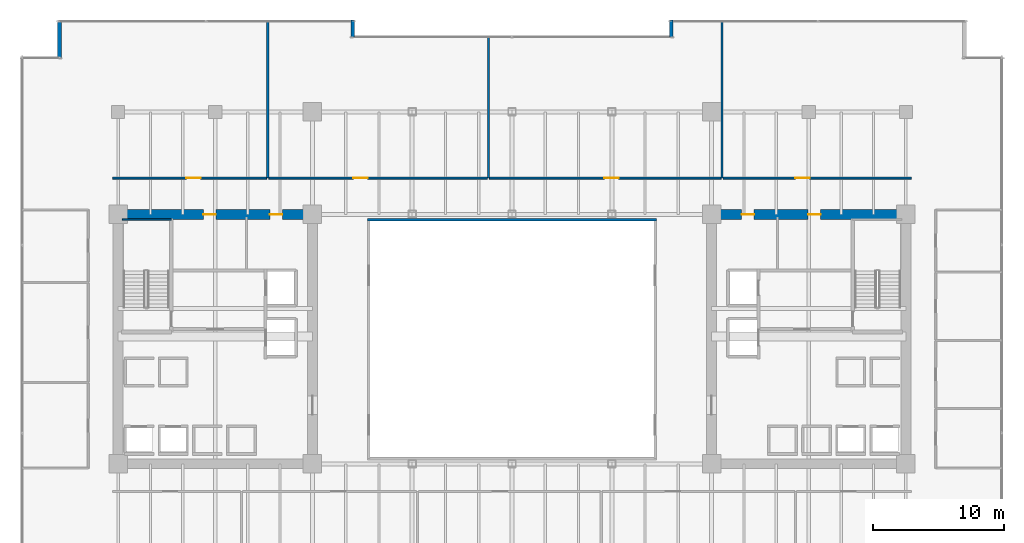
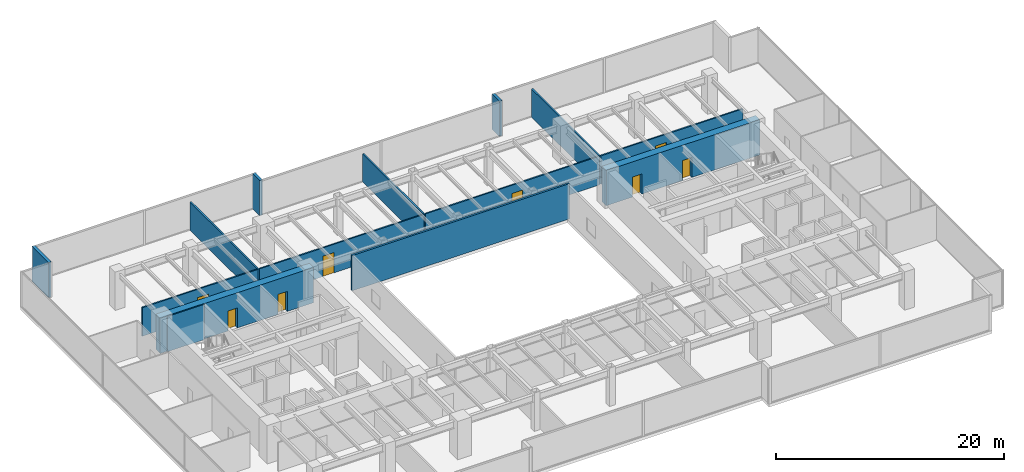
# One storey, part 31 of 35: 14 walls, 8 doors, 8 openings.
"""IFC4 building model written with IfcOpenShell, lengths in metres."""

from ifc_helpers import new_model, si_unit, direction, frame, frame_2d, origin, place, context, subcontext, project, spatial, rectangle, extrude, source, transform, mapped, material, layer, layer_set, type_object, type_shapes, element, fill, save


model = new_model("IFC4")

# Units and contexts
model_context = context("Model", 3, precision=1e-05, world=origin(), true_north=direction((0.0, 1.0)))
body_context = subcontext(model_context, "Body", "Model", "MODEL_VIEW")
ifc_project = project(units=[si_unit("LENGTHUNIT", "METRE"), si_unit("AREAUNIT", "SQUARE_METRE"), si_unit("VOLUMEUNIT", "CUBIC_METRE"), si_unit("PLANEANGLEUNIT", "RADIAN"), si_unit("MASSUNIT", "GRAM", prefix="KILO")], contexts=[model_context])

# Site, building, storey
site_placement = place(None, origin())
site = spatial("IfcSite", under=ifc_project, at=site_placement, CompositionType="ELEMENT")
building_placement = place(site_placement, origin())
building = spatial("IfcBuilding", under=site, at=building_placement, Name="Haelvirn Gate Laboratories", CompositionType="ELEMENT")
storey_placement = place(building_placement, frame((0.0, 0.0, 58.0)))
storey = spatial("IfcBuildingStorey", under=building, at=storey_placement, Name="L14", CompositionType="ELEMENT", Elevation=58.0)

# Walls
ifc_material_1 = material(Name="Thermally-broken bronze aluminium rainscreen & mineral wool", Category="aluminium")
ifc_layer_1 = layer(ifc_material_1, 0.280029296875, Name="EW-TERR-280")
ifc_layer_set_1 = layer_set([ifc_layer_1], Name="Thermally-broken bronze aluminium rainscreen & mineral wool")
wall_type_1 = type_object("IfcWallType", Name="EW-TERR-280", PredefinedType="STANDARD", material=ifc_layer_set_1)
for number, where, z_axis, x_axis, name in (
    (1, (49.5400390625, 48.60009765625, 0.0), (0.0, 0.0, 1.0), (0.0, -1.0, 0.0), "L14 Atrium Recess Bronze Return Wall 11"),
    (2, (25.260009765625, 47.31201171875, 0.0), (0.0, 0.0, 1.0), (0.0, 1.0, 0.0), "L14 Atrium Recess Bronze Return Wall 13"),
):
    element("IfcWall", number, at=place(storey_placement, frame(where, z_axis=z_axis, x_axis=x_axis)), inside=storey, type_object=wall_type_1, Name=name, PredefinedType="STANDARD", context=body_context, shape_type="SweptSolid", body=[
        extrude(rectangle(XDim=1.2880859375, YDim=0.280029296875, at=frame_2d((0.64404296875, 0.0))), origin(), (0.0, 0.0, 1.0), 3.780029296875),
    ])
wall_1_placement = place(storey_placement, frame((2.93994140625, 48.60009765625, 0.0), z_axis=(0.0, 0.0, 1.0), x_axis=(0.0, -1.0, 0.0)))
element("IfcWall", 3, at=wall_1_placement, inside=storey, type_object=wall_type_1, Name="L14 Atrium Recess Bronze Return Wall 15", PredefinedType="STANDARD", context=body_context, shape_type="SweptSolid", body=[
    extrude(rectangle(XDim=2.88818359375, YDim=0.280029296875, at=frame_2d((1.444091796875, 0.0))), origin(), (0.0, 0.0, 1.0), 3.780029296875),
])
ifc_material_2 = material(Name="Double-layer acoustic gypsum laboratory partition", Category="gypsum")
ifc_layer_2 = layer(ifc_material_2, 0.159912109375, Name="IW-ACOUST-160")
ifc_layer_set_2 = layer_set([ifc_layer_2], Name="Double-layer acoustic gypsum laboratory partition")
wall_type_2 = type_object("IfcWallType", Name="IW-ACOUST-160", PredefinedType="PARTITIONING", material=ifc_layer_set_2)
wall_2_placement = place(storey_placement, frame((18.800048828125, 36.56005859375, 0.0), z_axis=(0.0, 0.0, 1.0), x_axis=(0.0, 1.0, 0.0)))
element("IfcWall", 4, at=wall_2_placement, inside=storey, type_object=wall_type_2, Name="L14 Interior Wall IW-L14-NDIV-01", PredefinedType="PARTITIONING", context=body_context, shape_type="SweptSolid", body=[
    extrude(rectangle(XDim=11.929931640625, YDim=0.159912109375, at=frame_2d((5.96484375, 0.0))), origin(), (0.0, 0.0, 1.0), 3.014892578125),
])
wall_3_placement = place(storey_placement, frame((35.60009765625, 36.56005859375, 0.0), z_axis=(0.0, 0.0, 1.0), x_axis=(0.0, 1.0, 0.0)))
element("IfcWall", 5, at=wall_3_placement, inside=storey, type_object=wall_type_2, Name="L14 Interior Wall IW-L14-NDIV-02", PredefinedType="PARTITIONING", context=body_context, shape_type="SweptSolid", body=[
    extrude(rectangle(XDim=10.72998046875, YDim=0.159912109375, at=frame_2d((5.364990234375, 0.0))), origin(), (0.0, 0.0, 1.0), 3.014892578125),
])
wall_4_placement = place(storey_placement, frame((53.39990234375, 36.56005859375, 0.0), z_axis=(0.0, 0.0, 1.0), x_axis=(0.0, 1.0, 0.0)))
element("IfcWall", 6, at=wall_4_placement, inside=storey, type_object=wall_type_2, Name="L14 Interior Wall IW-L14-NDIV-03", PredefinedType="PARTITIONING", context=body_context, shape_type="SweptSolid", body=[
    extrude(rectangle(XDim=11.929931640625, YDim=0.159912109375, at=frame_2d((5.96484375, 0.0))), origin(), (0.0, 0.0, 1.0), 3.014892578125),
])
ifc_material_3 = material(Name="Tempered fire-rated borosilicate glass & anodised aluminium", Category="aluminium")
ifc_layer_3 = layer(ifc_material_3, 0.195068359375, Name="IW-GLAZ-200")
ifc_layer_set_3 = layer_set([ifc_layer_3], Name="Tempered fire-rated borosilicate glass & anodised aluminium")
wall_type_3 = type_object("IfcWallType", Name="IW-GLAZ-200", PredefinedType="SOLIDWALL", material=ifc_layer_set_3)
wall_5_placement = place(storey_placement, frame((26.39990234375, 33.39990234375, 0.0), z_axis=(0.0, 0.0, 1.0), x_axis=(1.0, 0.0, 0.0)))
element("IfcWall", 7, at=wall_5_placement, inside=storey, type_object=wall_type_3, Name="L14 Interior Wall IW-L14-ATRIUM-N", PredefinedType="SOLIDWALL", context=body_context, shape_type="SweptSolid", body=[
    extrude(rectangle(XDim=22.0, YDim=0.195068359375, at=frame_2d((11.0, 0.0))), origin(), (0.0, 0.0, 1.0), 3.780029296875),
])

# Wall, opening, door
ifc_material_4 = material(Name="Acoustic mineral-wool gypsum board partition", Category="gypsum")
ifc_layer_4 = layer(ifc_material_4, 0.139892578125, Name="IW-PART-140")
ifc_layer_set_4 = layer_set([ifc_layer_4], Name="Acoustic mineral-wool gypsum board partition")
wall_type_4 = type_object("IfcWallType", Name="IW-PART-140", PredefinedType="PARTITIONING", material=ifc_layer_set_4)
wall_6_placement = place(storey_placement, frame((6.97998046875, 36.56005859375, 0.0), z_axis=(0.0, 0.0, 1.0), x_axis=(1.0, 0.0, 0.0)))
wall_6 = element("IfcWall", 8, at=wall_6_placement, inside=storey, type_object=wall_type_4, Name="L14 Interior Wall IW-L14-NCORR-01", PredefinedType="PARTITIONING", context=body_context, shape_type="SweptSolid", body=[
    extrude(rectangle(XDim=11.739990234375, YDim=0.139892578125, at=frame_2d((5.8701171875, 0.0))), origin(), (0.0, 0.0, 1.0), 3.06494140625),
])
opening_1_placement = place(wall_6_placement, frame((5.6181640625, 0.0, 0.0)))
opening_1 = element("IfcOpeningElement", 9, at=opening_1_placement, cuts=wall_6, Name="Opening D1", PredefinedType="OPENING", context=body_context, shape_type="SweptSolid", body=[
    extrude(rectangle(XDim=1.10009765625, YDim=2.179931640625, at=frame_2d((0.550048828125, 1.08984375))), frame((0.0, 0.080078125, 0.0), z_axis=(0.0, -1.0, 0.0), x_axis=(1.0, 0.0, 0.0)), (0.0, 0.0, 1.0), 0.159912109375),
])
ifc_material_5 = material(Name="Vision-panel acoustic solid-core timber lab door", Category="wood")
door_type_1 = type_object("IfcDoorType", Name="DR-LAB-1100", OperationType="NOTDEFINED", PredefinedType="DOOR", material=ifc_material_5)
shared_shape_1 = source(origin(), body_context, "Body", "SweptSolid", [
    extrude(rectangle(XDim=1.10009765625, YDim=2.179931640625, at=frame_2d((0.550048828125, 1.08984375))), frame((0.0, 0.02490234375, 0.0), z_axis=(0.0, -1.0, 0.0), x_axis=(1.0, 0.0, 0.0)), (0.0, 0.0, 1.0), 0.050048828125),
])
type_shapes(door_type_1, [shared_shape_1])
door_1_placement = place(opening_1_placement, origin())
door_1 = element("IfcDoor", 10, at=door_1_placement, inside=storey, type_object=door_type_1, Name="L14 Occupational Biosafety Clinic Door N1", OperationType="SINGLE_SWING_RIGHT", OverallHeight=2.179931640625, OverallWidth=1.10009765625, PredefinedType="DOOR", context=body_context, shape_type="MappedRepresentation", body=[
    mapped(shared_shape_1, transform((0.0, 0.0, 0.0), scale=1.0)),
])
fill(opening_1, door_1)

wall_7_placement = place(storey_placement, frame((18.8798828125, 36.56005859375, 0.0), z_axis=(0.0, 0.0, 1.0), x_axis=(1.0, 0.0, 0.0)))
wall_7 = element("IfcWall", 11, at=wall_7_placement, inside=storey, type_object=wall_type_4, Name="L14 Interior Wall IW-L14-NCORR-02", PredefinedType="PARTITIONING", context=body_context, shape_type="SweptSolid", body=[
    extrude(rectangle(XDim=16.64013671875, YDim=0.139892578125, at=frame_2d((8.320068359375, 0.0))), origin(), (0.0, 0.0, 1.0), 3.06494140625),
])
opening_2_placement = place(wall_7_placement, frame((6.434326171875, 0.0, 0.0)))
opening_2 = element("IfcOpeningElement", 12, at=opening_2_placement, cuts=wall_7, Name="Opening D1", PredefinedType="OPENING", context=body_context, shape_type="SweptSolid", body=[
    extrude(rectangle(XDim=1.10009765625, YDim=2.179931640625, at=frame_2d((0.550048828125, 1.08984375))), frame((0.0, 0.080078125, 0.0), z_axis=(0.0, -1.0, 0.0), x_axis=(1.0, 0.0, 0.0)), (0.0, 0.0, 1.0), 0.159912109375),
])
door_2_placement = place(opening_2_placement, origin())
door_2 = element("IfcDoor", 13, at=door_2_placement, inside=storey, type_object=door_type_1, Name="L14 Floor Hydration & Tea Servery Door N2", OperationType="SINGLE_SWING_LEFT", OverallHeight=2.179931640625, OverallWidth=1.10009765625, PredefinedType="DOOR", context=body_context, shape_type="MappedRepresentation", body=[
    mapped(shared_shape_1, transform((0.0, 0.0, 0.0), scale=1.0)),
])
fill(opening_2, door_2)

wall_8_placement = place(storey_placement, frame((35.679931640625, 36.56005859375, 0.0), z_axis=(0.0, 0.0, 1.0), x_axis=(1.0, 0.0, 0.0)))
wall_8 = element("IfcWall", 14, at=wall_8_placement, inside=storey, type_object=wall_type_4, Name="L14 Interior Wall IW-L14-NCORR-03", PredefinedType="PARTITIONING", context=body_context, shape_type="SweptSolid", body=[
    extrude(rectangle(XDim=17.64013671875, YDim=0.139892578125, at=frame_2d((8.820068359375, 0.0))), origin(), (0.0, 0.0, 1.0), 3.06494140625),
])
opening_3_placement = place(wall_8_placement, frame((8.7451171875, 0.0, 0.0)))
opening_3 = element("IfcOpeningElement", 15, at=opening_3_placement, cuts=wall_8, Name="Opening D1", PredefinedType="OPENING", context=body_context, shape_type="SweptSolid", body=[
    extrude(rectangle(XDim=1.10009765625, YDim=2.179931640625, at=frame_2d((0.550048828125, 1.08984375))), frame((0.0, 0.080078125, 0.0), z_axis=(0.0, -1.0, 0.0), x_axis=(1.0, 0.0, 0.0)), (0.0, 0.0, 1.0), 0.159912109375),
])
door_3_placement = place(opening_3_placement, origin())
door_3 = element("IfcDoor", 16, at=door_3_placement, inside=storey, type_object=door_type_1, Name="L14 Researcher Break Pantry Door N3", OperationType="SINGLE_SWING_RIGHT", OverallHeight=2.179931640625, OverallWidth=1.10009765625, PredefinedType="DOOR", context=body_context, shape_type="MappedRepresentation", body=[
    mapped(shared_shape_1, transform((0.0, 0.0, 0.0), scale=1.0)),
])
fill(opening_3, door_3)

wall_9_placement = place(storey_placement, frame((53.47998046875, 36.56005859375, 0.0), z_axis=(0.0, 0.0, 1.0), x_axis=(1.0, 0.0, 0.0)))
wall_9 = element("IfcWall", 17, at=wall_9_placement, inside=storey, type_object=wall_type_4, Name="L14 Interior Wall IW-L14-NCORR-04", PredefinedType="PARTITIONING", context=body_context, shape_type="SweptSolid", body=[
    extrude(rectangle(XDim=14.340087890625, YDim=0.139892578125, at=frame_2d((7.169921875, 0.0))), origin(), (0.0, 0.0, 1.0), 3.06494140625),
])
opening_4_placement = place(wall_9_placement, frame((5.491455078125, 0.0, 0.0)))
opening_4 = element("IfcOpeningElement", 18, at=opening_4_placement, cuts=wall_9, Name="Opening D1", PredefinedType="OPENING", context=body_context, shape_type="SweptSolid", body=[
    extrude(rectangle(XDim=1.10009765625, YDim=2.179931640625, at=frame_2d((0.550048828125, 1.08984375))), frame((0.0, 0.080078125, 0.0), z_axis=(0.0, -1.0, 0.0), x_axis=(1.0, 0.0, 0.0)), (0.0, 0.0, 1.0), 0.159912109375),
])
door_4_placement = place(opening_4_placement, origin())
door_4 = element("IfcDoor", 19, at=door_4_placement, inside=storey, type_object=door_type_1, Name="L14 Proteomics Mass-Spec Laboratory Door N4", OperationType="SINGLE_SWING_LEFT", OverallHeight=2.179931640625, OverallWidth=1.10009765625, PredefinedType="DOOR", context=body_context, shape_type="MappedRepresentation", body=[
    mapped(shared_shape_1, transform((0.0, 0.0, 0.0), scale=1.0)),
])
fill(opening_4, door_4)

# Wall, openings, doors
ifc_material_6 = material(Name="Concrete C70/85", Category="concrete")
ifc_layer_5 = layer(ifc_material_6, 0.75, Name="SW-CORE-750")
ifc_layer_set_5 = layer_set([ifc_layer_5], Name="Concrete C70/85")
wall_type_5 = type_object("IfcWallType", Name="SW-CORE-750", PredefinedType="SHEAR", material=ifc_layer_set_5)
wall_10_placement = place(storey_placement, frame((7.02490234375, 33.800048828125, 0.0), z_axis=(0.0, 0.0, 1.0), x_axis=(1.0, 0.0, 0.0)))
wall_10 = element("IfcWall", 20, at=wall_10_placement, inside=storey, type_object=wall_type_5, Name="L14 W Core Shear Wall N", PredefinedType="SHEAR", context=body_context, shape_type="SweptSolid", body=[
    extrude(rectangle(XDim=15.550048828125, YDim=0.75, at=frame_2d((7.77490234375, 0.0))), origin(), (0.0, 0.0, 1.0), 3.780029296875),
])
opening_5_placement = place(wall_10_placement, frame((6.875, 0.0, 0.0)))
opening_5 = element("IfcOpeningElement", 21, at=opening_5_placement, cuts=wall_10, Name="Opening FD4", PredefinedType="OPENING", context=body_context, shape_type="SweptSolid", body=[
    extrude(rectangle(XDim=0.949951171875, YDim=2.14990234375, at=frame_2d((0.47509765625, 1.074951171875))), frame((0.0, 0.385009765625, 0.0), z_axis=(0.0, -1.0, 0.0), x_axis=(1.0, 0.0, 0.0)), (0.0, 0.0, 1.0), 0.77001953125),
])
opening_6_placement = place(wall_10_placement, frame((11.93994140625, 0.0, 0.0)))
opening_6 = element("IfcOpeningElement", 22, at=opening_6_placement, cuts=wall_10, Name="Opening FD4", PredefinedType="OPENING", context=body_context, shape_type="SweptSolid", body=[
    extrude(rectangle(XDim=0.949951171875, YDim=2.14990234375, at=frame_2d((0.47509765625, 1.074951171875))), frame((0.0, 0.385009765625, 0.0), z_axis=(0.0, -1.0, 0.0), x_axis=(1.0, 0.0, 0.0)), (0.0, 0.0, 1.0), 0.77001953125),
])
ifc_material_7 = material(Name="Fire-rated steel SM355 core service door", Category="steel")
door_type_2 = type_object("IfcDoorType", Name="DR-FD-950", OperationType="NOTDEFINED", PredefinedType="DOOR", material=ifc_material_7)
shared_shape_2 = source(origin(), body_context, "Body", "SweptSolid", [
    extrude(rectangle(XDim=0.949951171875, YDim=2.14990234375, at=frame_2d((0.47509765625, 1.074951171875))), frame((0.0, 0.02490234375, 0.0), z_axis=(0.0, -1.0, 0.0), x_axis=(1.0, 0.0, 0.0)), (0.0, 0.0, 1.0), 0.050048828125),
])
type_shapes(door_type_2, [shared_shape_2])
door_5_placement = place(opening_5_placement, origin())
door_5 = element("IfcDoor", 23, at=door_5_placement, inside=storey, type_object=door_type_2, Name="L14 All-Gender Multi-Stall Restroom Fire Door", OperationType="SINGLE_SWING_LEFT", OverallHeight=2.14990234375, OverallWidth=0.949951171875, PredefinedType="DOOR", context=body_context, shape_type="MappedRepresentation", body=[
    mapped(shared_shape_2, transform((0.0, 0.0, 0.0), scale=1.0)),
])
fill(opening_5, door_5)
door_6_placement = place(opening_6_placement, origin())
door_6 = element("IfcDoor", 24, at=door_6_placement, inside=storey, type_object=door_type_2, Name="L14 Accessible Restroom Fire Door", OperationType="SINGLE_SWING_RIGHT", OverallHeight=2.14990234375, OverallWidth=0.949951171875, PredefinedType="DOOR", context=body_context, shape_type="MappedRepresentation", body=[
    mapped(shared_shape_2, transform((0.0, 0.0, 0.0), scale=1.0)),
])
fill(opening_6, door_6)

wall_11_placement = place(storey_placement, frame((52.22509765625, 33.800048828125, 0.0), z_axis=(0.0, 0.0, 1.0), x_axis=(1.0, 0.0, 0.0)))
wall_11 = element("IfcWall", 25, at=wall_11_placement, inside=storey, type_object=wall_type_5, Name="L14 E Core Shear Wall N", PredefinedType="SHEAR", context=body_context, shape_type="SweptSolid", body=[
    extrude(rectangle(XDim=15.5498046875, YDim=0.75, at=frame_2d((7.77490234375, 0.0))), origin(), (0.0, 0.0, 1.0), 3.780029296875),
])
opening_7_placement = place(wall_11_placement, frame((7.72509765625, 0.0, 0.0)))
opening_7 = element("IfcOpeningElement", 26, at=opening_7_placement, cuts=wall_11, Name="Opening FD4", PredefinedType="OPENING", context=body_context, shape_type="SweptSolid", body=[
    extrude(rectangle(XDim=0.949951171875, YDim=2.14990234375, at=frame_2d((0.47509765625, 1.074951171875))), frame((0.0, 0.385009765625, 0.0), z_axis=(0.0, -1.0, 0.0), x_axis=(1.0, 0.0, 0.0)), (0.0, 0.0, 1.0), 0.77001953125),
])
opening_8_placement = place(wall_11_placement, frame((2.659912109375, 0.0, 0.0)))
opening_8 = element("IfcOpeningElement", 27, at=opening_8_placement, cuts=wall_11, Name="Opening FD4", PredefinedType="OPENING", context=body_context, shape_type="SweptSolid", body=[
    extrude(rectangle(XDim=0.949951171875, YDim=2.14990234375, at=frame_2d((0.47509765625, 1.074951171875))), frame((0.0, 0.385009765625, 0.0), z_axis=(0.0, -1.0, 0.0), x_axis=(1.0, 0.0, 0.0)), (0.0, 0.0, 1.0), 0.77001953125),
])
door_7_placement = place(opening_7_placement, origin())
door_7 = element("IfcDoor", 28, at=door_7_placement, inside=storey, type_object=door_type_2, Name="L14 All-Gender Multi-Stall Restroom Fire Door", OperationType="SINGLE_SWING_LEFT", OverallHeight=2.14990234375, OverallWidth=0.949951171875, PredefinedType="DOOR", context=body_context, shape_type="MappedRepresentation", body=[
    mapped(shared_shape_2, transform((0.0, 0.0, 0.0), scale=1.0)),
])
fill(opening_7, door_7)
door_8_placement = place(opening_8_placement, origin())
door_8 = element("IfcDoor", 29, at=door_8_placement, inside=storey, type_object=door_type_2, Name="L14 Accessible Restroom Fire Door", OperationType="SINGLE_SWING_RIGHT", OverallHeight=2.14990234375, OverallWidth=0.949951171875, PredefinedType="DOOR", context=body_context, shape_type="MappedRepresentation", body=[
    mapped(shared_shape_2, transform((0.0, 0.0, 0.0), scale=1.0)),
])
fill(opening_8, door_8)

# Wall
ifc_material_8 = material(Name="Concrete C50/60", Category="concrete")
ifc_layer_6 = layer(ifc_material_8, 0.1201171875, Name="SW-LINER-120")
ifc_layer_set_6 = layer_set([ifc_layer_6], Name="Concrete C50/60")
wall_type_6 = type_object("IfcWallType", Name="SW-LINER-120", PredefinedType="SOLIDWALL", material=ifc_layer_set_6)
wall_12_placement = place(storey_placement, frame((7.72998046875, 33.39990234375, 0.0), z_axis=(0.0, 0.0, 1.0), x_axis=(1.0, 0.0, 0.0)))
element("IfcWall", 30, at=wall_12_placement, inside=storey, type_object=wall_type_6, Name="L14 W Core Stair Shaft Liner Wall N", PredefinedType="SOLIDWALL", context=body_context, shape_type="SweptSolid", body=[
    extrude(rectangle(XDim=3.719970703125, YDim=0.1201171875, at=frame_2d((1.85986328125, 0.0))), origin(), (0.0, 0.0, 1.0), 3.780029296875),
])

save(model, "model.ifc")
